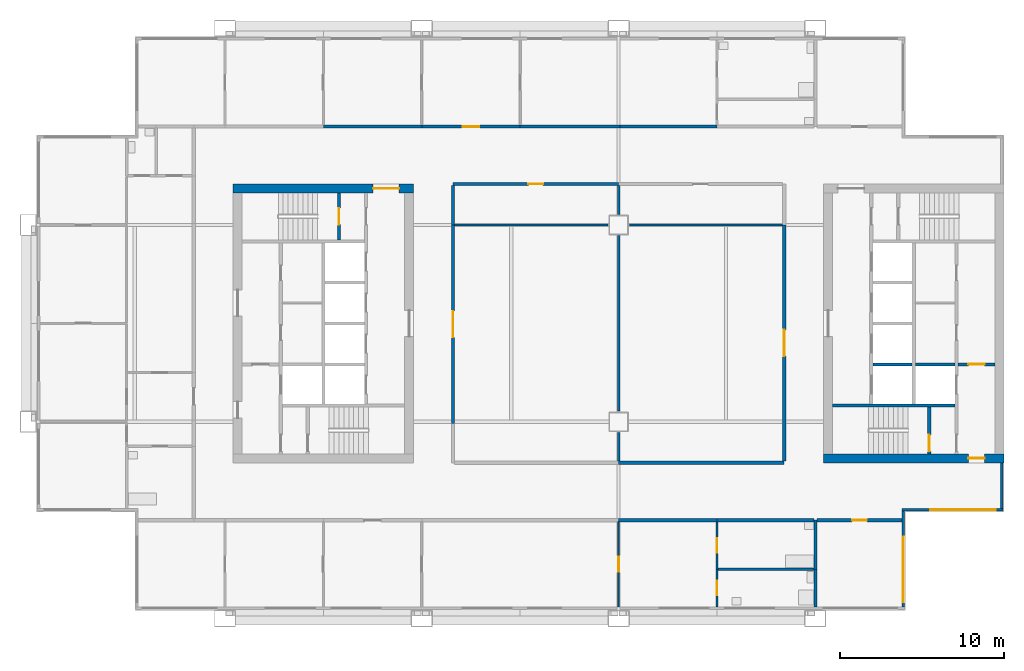
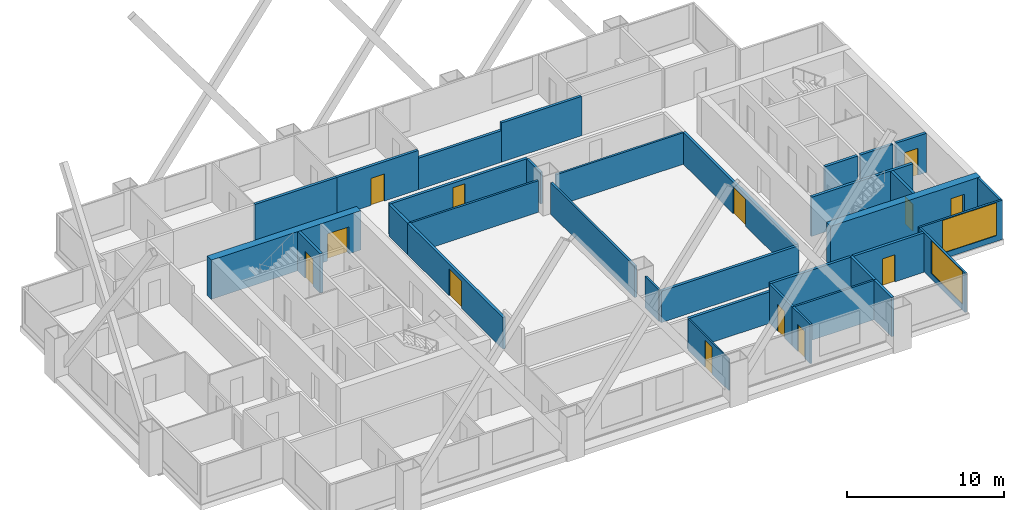
# One storey, part 4 of 8: 34 walls, 13 doors, 2 windows, 15 openings.
"""IFC4 building model written with IfcOpenShell, lengths in metres."""

from ifc_helpers import new_model, si_unit, direction, frame, frame_2d, origin, place, context, subcontext, project, spatial, rectangle, extrude, material, layer, layer_set, type_object, element, fill, save


model = new_model("IFC4")

# Units and contexts
model_context = context("Model", 3, precision=1e-05, world=origin(), true_north=direction((0.0, 1.0)))
body_context = subcontext(model_context, "Body", "Model", "MODEL_VIEW")
ifc_project = project(units=[si_unit("LENGTHUNIT", "METRE"), si_unit("AREAUNIT", "SQUARE_METRE"), si_unit("VOLUMEUNIT", "CUBIC_METRE"), si_unit("PLANEANGLEUNIT", "RADIAN"), si_unit("MASSUNIT", "GRAM", prefix="KILO")], contexts=[model_context])

# Site, building, storey
site_placement = place(None, origin())
site = spatial("IfcSite", under=ifc_project, at=site_placement, CompositionType="ELEMENT")
building_placement = place(site_placement, origin())
building = spatial("IfcBuilding", under=site, at=building_placement, Name="Kitamizu Gate Tower and Museum", CompositionType="ELEMENT")
storey_placement = place(building_placement, frame((0.0, 0.0, 175.5)))
storey = spatial("IfcBuildingStorey", under=building, at=storey_placement, Name="L46", CompositionType="ELEMENT", Elevation=175.5)

# Wall, opening, door
ifc_material_1 = material(Name="Concrete Fc42", Category="concrete")
ifc_layer_1 = layer(ifc_material_1, 0.550048828125)
ifc_layer_set_1 = layer_set([ifc_layer_1], Name="Concrete Fc42")
wall_type_1 = type_object("IfcWallType", Name="Core wall 550", PredefinedType="SHEAR", material=ifc_layer_set_1)
wall_1_placement = place(storey_placement, frame((12.5, 38.22509765625, 0.0), z_axis=(0.0, 0.0, 1.0), x_axis=(1.0, 0.0, 0.0)))
wall_1 = element("IfcWall", 1, at=wall_1_placement, inside=storey, type_object=wall_type_1, Name="Core wall WN", PredefinedType="SHEAR", context=body_context, shape_type="SweptSolid", body=[
    extrude(rectangle(XDim=11.0, YDim=0.550048828125, at=frame_2d((5.5, 0.0))), origin(), (0.0, 0.0, 1.0), 3.050048828125),
])
opening_1_placement = place(wall_1_placement, frame((8.52490234375, 0.0, 0.0)))
opening_1 = element("IfcOpeningElement", 2, at=opening_1_placement, cuts=wall_1, Name="Opening L46-037", PredefinedType="OPENING", context=body_context, shape_type="SweptSolid", body=[
    extrude(rectangle(XDim=1.60009765625, YDim=2.10009765625, at=frame_2d((0.800048828125, 1.050048828125))), frame((0.0, 0.28515625, 0.0), z_axis=(0.0, -1.0, 0.0), x_axis=(1.0, 0.0, 0.0)), (0.0, 0.0, 1.0), 0.570068359375),
])
ifc_material_2 = material(Name="Timber door set", Category="wood")
door_type_1 = type_object("IfcDoorType", Name="Entrance door 1600", OperationType="DOUBLE_DOOR_SINGLE_SWING", PredefinedType="DOOR", material=ifc_material_2)
door_1_placement = place(opening_1_placement, origin())
door_1 = element("IfcDoor", 3, at=door_1_placement, inside=storey, type_object=door_type_1, Name="Lobby door L46-037", OperationType="DOUBLE_DOOR_SINGLE_SWING", OverallHeight=2.10009765625, OverallWidth=1.60009765625, PredefinedType="DOOR", context=body_context, shape_type="SweptSolid", body=[
    extrude(rectangle(XDim=1.60009765625, YDim=2.10009765625, at=frame_2d((0.800048828125, 1.050048828125))), frame((0.0, 0.02490234375, 0.0), z_axis=(0.0, -1.0, 0.0), x_axis=(1.0, 0.0, 0.0)), (0.0, 0.0, 1.0), 0.050048828125),
])
fill(opening_1, door_1)

wall_2_placement = place(storey_placement, frame((59.5, 21.77490234375, 0.0), z_axis=(0.0, 0.0, 1.0), x_axis=(-1.0, 0.0, 0.0)))
wall_2 = element("IfcWall", 4, at=wall_2_placement, inside=storey, type_object=wall_type_1, Name="Core wall ES", PredefinedType="SHEAR", context=body_context, shape_type="SweptSolid", body=[
    extrude(rectangle(XDim=11.0, YDim=0.550048828125, at=frame_2d((5.5, 0.0))), origin(), (0.0, 0.0, 1.0), 3.050048828125),
])
opening_2_placement = place(wall_2_placement, frame((1.175048828125, 0.0, 0.0)))
opening_2 = element("IfcOpeningElement", 5, at=opening_2_placement, cuts=wall_2, Name="Opening L46-046", PredefinedType="OPENING", context=body_context, shape_type="SweptSolid", body=[
    extrude(rectangle(XDim=1.0, YDim=2.10009765625, at=frame_2d((0.5, 1.050048828125))), frame((0.0, 0.28515625, 0.0), z_axis=(0.0, -1.0, 0.0), x_axis=(1.0, 0.0, 0.0)), (0.0, 0.0, 1.0), 0.570068359375),
])
ifc_material_3 = material(Name="Hollow metal door set")
door_type_2 = type_object("IfcDoorType", Name="Fire door 1000", OperationType="NOTDEFINED", PredefinedType="DOOR", material=ifc_material_3)
door_2_placement = place(opening_2_placement, frame((1.0, 0.0, 0.0), x_axis=(-1.0, 0.0, 0.0)))
door_2 = element("IfcDoor", 6, at=door_2_placement, inside=storey, type_object=door_type_2, Name="Fire-fighting lobby door L46-046", OperationType="SINGLE_SWING_RIGHT", OverallHeight=2.10009765625, OverallWidth=1.0, PredefinedType="DOOR", context=body_context, shape_type="SweptSolid", body=[
    extrude(rectangle(XDim=1.0, YDim=2.10009765625, at=frame_2d((0.5, 1.050048828125))), frame((0.0, 0.02490234375, 0.0), z_axis=(0.0, -1.0, 0.0), x_axis=(1.0, 0.0, 0.0)), (0.0, 0.0, 1.0), 0.050048828125),
])
fill(opening_2, door_2)

ifc_material_4 = material(Name="Gypsum board on galvanised stud")
ifc_layer_2 = layer(ifc_material_4, 0.10009765625)
ifc_layer_set_2 = layer_set([ifc_layer_2], Name="Gypsum board on galvanised stud")
wall_type_2 = type_object("IfcWallType", Name="Partition 100 NOT RATED", PredefinedType="PARTITIONING", material=ifc_layer_set_2)
wall_3_placement = place(storey_placement, frame((36.0, 12.719970703125, 0.0), z_axis=(0.0, 0.0, 1.0), x_axis=(0.0, 1.0, 0.0)))
wall_3 = element("IfcWall", 7, at=wall_3_placement, inside=storey, type_object=wall_type_2, Name="Partition L46-008", PredefinedType="PARTITIONING", context=body_context, shape_type="SweptSolid", body=[
    extrude(rectangle(XDim=5.179931640625, YDim=0.10009765625, at=frame_2d((2.58984375, 0.0))), origin(), (0.0, 0.0, 1.0), 2.449951171875),
])
opening_3_placement = place(wall_3_placement, frame((2.139892578125, 0.0, 0.0)))
opening_3 = element("IfcOpeningElement", 8, at=opening_3_placement, cuts=wall_3, Name="Opening L46-004", PredefinedType="OPENING", context=body_context, shape_type="SweptSolid", body=[
    extrude(rectangle(XDim=0.89990234375, YDim=2.10009765625, at=frame_2d((0.449951171875, 1.050048828125))), frame((0.0, 0.06005859375, 0.0), z_axis=(0.0, -1.0, 0.0), x_axis=(1.0, 0.0, 0.0)), (0.0, 0.0, 1.0), 0.1201171875),
])
ifc_material_5 = material(Name="Timber door set", Category="wood")
door_type_3 = type_object("IfcDoorType", Name="Room door 900", OperationType="NOTDEFINED", PredefinedType="DOOR", material=ifc_material_5)
door_3_placement = place(opening_3_placement, frame((0.89990234375, 0.0, 0.0), x_axis=(-1.0, 0.0, 0.0)))
door_3 = element("IfcDoor", 9, at=door_3_placement, inside=storey, type_object=door_type_3, Name="Door L46-004", OperationType="SINGLE_SWING_RIGHT", OverallHeight=2.10009765625, OverallWidth=0.89990234375, PredefinedType="DOOR", context=body_context, shape_type="SweptSolid", body=[
    extrude(rectangle(XDim=0.89990234375, YDim=2.10009765625, at=frame_2d((0.449951171875, 1.050048828125))), frame((0.0, 0.02490234375, 0.0), z_axis=(0.0, -1.0, 0.0), x_axis=(1.0, 0.0, 0.0)), (0.0, 0.0, 1.0), 0.050048828125),
])
fill(opening_3, door_3)

ifc_material_6 = material(Name="Gypsum board on galvanised stud")
ifc_layer_3 = layer(ifc_material_6, 0.14990234375)
ifc_layer_set_3 = layer_set([ifc_layer_3], Name="Gypsum board on galvanised stud")
wall_type_3 = type_object("IfcWallType", Name="Partition 150", PredefinedType="PARTITIONING", material=ifc_layer_set_3)
wall_4_placement = place(storey_placement, frame((42.0, 12.719970703125, 0.0), z_axis=(0.0, 0.0, 1.0), x_axis=(0.0, 1.0, 0.0)))
wall_4 = element("IfcWall", 10, at=wall_4_placement, inside=storey, type_object=wall_type_3, Name="Partition L46-010", PredefinedType="PARTITIONING", context=body_context, shape_type="SweptSolid", body=[
    extrude(rectangle(XDim=2.280029296875, YDim=0.14990234375, at=frame_2d((1.14013671875, 0.0))), origin(), (0.0, 0.0, 1.0), 3.050048828125),
])
opening_4_placement = place(wall_4_placement, frame((0.68994140625, 0.0, 0.0)))
opening_4 = element("IfcOpeningElement", 11, at=opening_4_placement, cuts=wall_4, Name="Opening L46-005", PredefinedType="OPENING", context=body_context, shape_type="SweptSolid", body=[
    extrude(rectangle(XDim=0.89990234375, YDim=2.10009765625, at=frame_2d((0.449951171875, 1.050048828125))), frame((0.0, 0.0849609375, 0.0), z_axis=(0.0, -1.0, 0.0), x_axis=(1.0, 0.0, 0.0)), (0.0, 0.0, 1.0), 0.169921875),
])
ifc_material_7 = material(Name="Timber door set", Category="wood")
door_type_4 = type_object("IfcDoorType", Name="Bathroom door 900", OperationType="NOTDEFINED", PredefinedType="DOOR", material=ifc_material_7)
door_4_placement = place(opening_4_placement, frame((0.89990234375, 0.0, 0.0), x_axis=(-1.0, 0.0, 0.0)))
door_4 = element("IfcDoor", 12, at=door_4_placement, inside=storey, type_object=door_type_4, Name="Bathroom door L46-005", OperationType="SINGLE_SWING_LEFT", OverallHeight=2.10009765625, OverallWidth=0.89990234375, PredefinedType="DOOR", context=body_context, shape_type="SweptSolid", body=[
    extrude(rectangle(XDim=0.89990234375, YDim=2.10009765625, at=frame_2d((0.449951171875, 1.050048828125))), frame((0.0, 0.02490234375, 0.0), z_axis=(0.0, -1.0, 0.0), x_axis=(1.0, 0.0, 0.0)), (0.0, 0.0, 1.0), 0.050048828125),
])
fill(opening_4, door_4)

wall_5_placement = place(storey_placement, frame((42.0, 15.0, 0.0), z_axis=(0.0, 0.0, 1.0), x_axis=(0.0, 1.0, 0.0)))
wall_5 = element("IfcWall", 13, at=wall_5_placement, inside=storey, type_object=wall_type_3, Name="Partition L46-011", PredefinedType="PARTITIONING", context=body_context, shape_type="SweptSolid", body=[
    extrude(rectangle(XDim=2.89990234375, YDim=0.14990234375, at=frame_2d((1.449951171875, 0.0))), origin(), (0.0, 0.0, 1.0), 3.050048828125),
])
opening_5_placement = place(wall_5_placement, frame((1.0, 0.0, 0.0)))
opening_5 = element("IfcOpeningElement", 14, at=opening_5_placement, cuts=wall_5, Name="Opening L46-007", PredefinedType="OPENING", context=body_context, shape_type="SweptSolid", body=[
    extrude(rectangle(XDim=0.89990234375, YDim=2.10009765625, at=frame_2d((0.449951171875, 1.050048828125))), frame((0.0, 0.0849609375, 0.0), z_axis=(0.0, -1.0, 0.0), x_axis=(1.0, 0.0, 0.0)), (0.0, 0.0, 1.0), 0.169921875),
])
door_5_placement = place(opening_5_placement, frame((0.89990234375, 0.0, 0.0), x_axis=(-1.0, 0.0, 0.0)))
door_5 = element("IfcDoor", 15, at=door_5_placement, inside=storey, type_object=door_type_4, Name="Bathroom door L46-007", OperationType="SINGLE_SWING_LEFT", OverallHeight=2.10009765625, OverallWidth=0.89990234375, PredefinedType="DOOR", context=body_context, shape_type="SweptSolid", body=[
    extrude(rectangle(XDim=0.89990234375, YDim=2.10009765625, at=frame_2d((0.449951171875, 1.050048828125))), frame((0.0, 0.02490234375, 0.0), z_axis=(0.0, -1.0, 0.0), x_axis=(1.0, 0.0, 0.0)), (0.0, 0.0, 1.0), 0.050048828125),
])
fill(opening_5, door_5)

# Walls
wall_6_placement = place(storey_placement, frame((47.89990234375, 15.0, 0.0), z_axis=(0.0, 0.0, 1.0), x_axis=(-1.0, 0.0, 0.0)))
element("IfcWall", 16, at=wall_6_placement, inside=storey, type_object=wall_type_3, Name="Partition L46-013", PredefinedType="PARTITIONING", context=body_context, shape_type="SweptSolid", body=[
    extrude(rectangle(XDim=5.824951171875, YDim=0.14990234375, at=frame_2d((2.91259765625, 0.0))), origin(), (0.0, 0.0, 1.0), 3.050048828125),
])
wall_7_placement = place(storey_placement, frame((36.0, 21.60009765625, 0.0), z_axis=(0.0, 0.0, 1.0), x_axis=(0.0, 1.0, 0.0)))
element("IfcWall", 17, at=wall_7_placement, inside=storey, type_object=wall_type_3, Name="Partition L46-067", PredefinedType="PARTITIONING", context=body_context, shape_type="SweptSolid", body=[
    extrude(rectangle(XDim=1.75, YDim=0.14990234375, at=frame_2d((0.875, 0.0))), origin(), (0.0, 0.0, 1.0), 2.449951171875),
])
wall_8_placement = place(storey_placement, frame((36.0, 24.64990234375, 0.0), z_axis=(0.0, 0.0, 1.0), x_axis=(0.0, 1.0, 0.0)))
element("IfcWall", 18, at=wall_8_placement, inside=storey, type_object=wall_type_3, Name="Partition L46-068", PredefinedType="PARTITIONING", context=body_context, shape_type="SweptSolid", body=[
    extrude(rectangle(XDim=10.7001953125, YDim=0.14990234375, at=frame_2d((5.35009765625, 0.0))), origin(), (0.0, 0.0, 1.0), 2.449951171875),
])
for number, where, z_axis, x_axis, name in (
    (19, (35.35009765625, 36.0, 0.0), (0.0, 0.0, 1.0), (-1.0, 0.0, 0.0), "Partition L46-069"),
    (20, (46.0, 36.0, 0.0), (0.0, 0.0, 1.0), (-1.0, 0.0, 0.0), "Partition L46-070"),
):
    element("IfcWall", number, at=place(storey_placement, frame(where, z_axis=z_axis, x_axis=x_axis)), inside=storey, type_object=wall_type_3, Name=name, PredefinedType="PARTITIONING", context=body_context, shape_type="SweptSolid", body=[
        extrude(rectangle(XDim=9.35009765625, YDim=0.14990234375, at=frame_2d((4.675048828125, 0.0))), origin(), (0.0, 0.0, 1.0), 2.449951171875),
    ])
wall_9_placement = place(storey_placement, frame((36.0, 36.64990234375, 0.0), z_axis=(0.0, 0.0, 1.0), x_axis=(0.0, 1.0, 0.0)))
element("IfcWall", 21, at=wall_9_placement, inside=storey, type_object=wall_type_3, Name="Partition L46-071", PredefinedType="PARTITIONING", context=body_context, shape_type="SweptSolid", body=[
    extrude(rectangle(XDim=1.75, YDim=0.14990234375, at=frame_2d((0.875, 0.0))), origin(), (0.0, 0.0, 1.0), 2.449951171875),
])
ifc_material_8 = material(Name="Gypsum board on galvanised stud")
ifc_layer_4 = layer(ifc_material_8, 0.199951171875)
ifc_layer_set_4 = layer_set([ifc_layer_4], Name="Gypsum board on galvanised stud")
wall_type_4 = type_object("IfcWallType", Name="Partition 200", PredefinedType="PARTITIONING", material=ifc_layer_set_4)
wall_10_placement = place(storey_placement, frame((42.0, 18.0, 0.0), z_axis=(0.0, 0.0, 1.0), x_axis=(-1.0, 0.0, 0.0)))
element("IfcWall", 22, at=wall_10_placement, inside=storey, type_object=wall_type_4, Name="Partition L46-012", PredefinedType="PARTITIONING", context=body_context, shape_type="SweptSolid", body=[
    extrude(rectangle(XDim=6.0, YDim=0.199951171875, at=frame_2d((3.0, 0.0))), origin(), (0.0, 0.0, 1.0), 2.449951171875),
])
wall_11_placement = place(storey_placement, frame((48.0, 12.719970703125, 0.0), z_axis=(0.0, 0.0, 1.0), x_axis=(0.0, 1.0, 0.0)))
element("IfcWall", 23, at=wall_11_placement, inside=storey, type_object=wall_type_4, Name="Partition L46-014", PredefinedType="PARTITIONING", context=body_context, shape_type="SweptSolid", body=[
    extrude(rectangle(XDim=2.280029296875, YDim=0.199951171875, at=frame_2d((1.14013671875, 0.0))), origin(), (0.0, 0.0, 1.0), 3.050048828125),
])
wall_12_placement = place(storey_placement, frame((48.0, 15.0, 0.0), z_axis=(0.0, 0.0, 1.0), x_axis=(0.0, 1.0, 0.0)))
element("IfcWall", 24, at=wall_12_placement, inside=storey, type_object=wall_type_4, Name="Partition L46-015", PredefinedType="PARTITIONING", context=body_context, shape_type="SweptSolid", body=[
    extrude(rectangle(XDim=3.0, YDim=0.199951171875, at=frame_2d((1.5, 0.0))), origin(), (0.0, 0.0, 1.0), 3.050048828125),
])
wall_13_placement = place(storey_placement, frame((47.89990234375, 18.0, 0.0), z_axis=(0.0, 0.0, 1.0), x_axis=(-1.0, 0.0, 0.0)))
element("IfcWall", 25, at=wall_13_placement, inside=storey, type_object=wall_type_4, Name="Partition L46-016", PredefinedType="PARTITIONING", context=body_context, shape_type="SweptSolid", body=[
    extrude(rectangle(XDim=5.89990234375, YDim=0.199951171875, at=frame_2d((2.949951171875, 0.0))), origin(), (0.0, 0.0, 1.0), 3.050048828125),
])

# Wall, opening, door
wall_14_placement = place(storey_placement, frame((53.280029296875, 18.0, 0.0), z_axis=(0.0, 0.0, 1.0), x_axis=(-1.0, 0.0, 0.0)))
wall_14 = element("IfcWall", 26, at=wall_14_placement, inside=storey, type_object=wall_type_4, Name="Partition L46-017", PredefinedType="PARTITIONING", context=body_context, shape_type="SweptSolid", body=[
    extrude(rectangle(XDim=5.179931640625, YDim=0.199951171875, at=frame_2d((2.58984375, 0.0))), origin(), (0.0, 0.0, 1.0), 3.050048828125),
])
opening_6_placement = place(wall_14_placement, frame((2.139892578125, 0.0, 0.0)))
opening_6 = element("IfcOpeningElement", 27, at=opening_6_placement, cuts=wall_14, Name="Opening L46-024", PredefinedType="OPENING", context=body_context, shape_type="SweptSolid", body=[
    extrude(rectangle(XDim=0.89990234375, YDim=2.10009765625, at=frame_2d((0.449951171875, 1.050048828125))), frame((0.0, 0.10986328125, 0.0), z_axis=(0.0, -1.0, 0.0), x_axis=(1.0, 0.0, 0.0)), (0.0, 0.0, 1.0), 0.219970703125),
])
door_6_placement = place(opening_6_placement, origin())
door_6 = element("IfcDoor", 28, at=door_6_placement, inside=storey, type_object=door_type_3, Name="Door L46-024", OperationType="SINGLE_SWING_RIGHT", OverallHeight=2.10009765625, OverallWidth=0.89990234375, PredefinedType="DOOR", context=body_context, shape_type="SweptSolid", body=[
    extrude(rectangle(XDim=0.89990234375, YDim=2.10009765625, at=frame_2d((0.449951171875, 1.050048828125))), frame((0.0, 0.02490234375, 0.0), z_axis=(0.0, -1.0, 0.0), x_axis=(1.0, 0.0, 0.0)), (0.0, 0.0, 1.0), 0.050048828125),
])
fill(opening_6, door_6)

# Wall
wall_15_placement = place(storey_placement, frame((18.0, 42.0, 0.0), z_axis=(0.0, 0.0, 1.0), x_axis=(1.0, 0.0, 0.0)))
element("IfcWall", 29, at=wall_15_placement, inside=storey, type_object=wall_type_4, Name="Partition L46-025", PredefinedType="PARTITIONING", context=body_context, shape_type="SweptSolid", body=[
    extrude(rectangle(XDim=6.0, YDim=0.199951171875, at=frame_2d((3.0, 0.0))), origin(), (0.0, 0.0, 1.0), 3.050048828125),
])

# Wall, opening, door
wall_16_placement = place(storey_placement, frame((24.0, 42.0, 0.0), z_axis=(0.0, 0.0, 1.0), x_axis=(1.0, 0.0, 0.0)))
wall_16 = element("IfcWall", 30, at=wall_16_placement, inside=storey, type_object=wall_type_4, Name="Partition L46-027", PredefinedType="PARTITIONING", context=body_context, shape_type="SweptSolid", body=[
    extrude(rectangle(XDim=6.0, YDim=0.199951171875, at=frame_2d((3.0, 0.0))), origin(), (0.0, 0.0, 1.0), 3.050048828125),
])
opening_7_placement = place(wall_16_placement, frame((2.5, 0.0, 0.0)))
opening_7 = element("IfcOpeningElement", 31, at=opening_7_placement, cuts=wall_16, Name="Opening L46-008", PredefinedType="OPENING", context=body_context, shape_type="SweptSolid", body=[
    extrude(rectangle(XDim=1.0, YDim=2.10009765625, at=frame_2d((0.5, 1.050048828125))), frame((0.0, 0.10986328125, 0.0), z_axis=(0.0, -1.0, 0.0), x_axis=(1.0, 0.0, 0.0)), (0.0, 0.0, 1.0), 0.219970703125),
])
ifc_material_9 = material(Name="Timber door set", Category="wood")
door_type_5 = type_object("IfcDoorType", Name="Flat entrance door 1000", OperationType="NOTDEFINED", PredefinedType="DOOR", material=ifc_material_9)
door_7_placement = place(opening_7_placement, origin())
door_7 = element("IfcDoor", 32, at=door_7_placement, inside=storey, type_object=door_type_5, Name="Flat entrance door L46-008", OperationType="SINGLE_SWING_LEFT", OverallHeight=2.10009765625, OverallWidth=1.0, PredefinedType="DOOR", context=body_context, shape_type="SweptSolid", body=[
    extrude(rectangle(XDim=1.0, YDim=2.10009765625, at=frame_2d((0.5, 1.050048828125))), frame((0.0, 0.02490234375, 0.0), z_axis=(0.0, -1.0, 0.0), x_axis=(1.0, 0.0, 0.0)), (0.0, 0.0, 1.0), 0.050048828125),
])
fill(opening_7, door_7)

# Walls
wall_17_placement = place(storey_placement, frame((30.0, 42.0, 0.0), z_axis=(0.0, 0.0, 1.0), x_axis=(1.0, 0.0, 0.0)))
element("IfcWall", 33, at=wall_17_placement, inside=storey, type_object=wall_type_4, Name="Partition L46-030", PredefinedType="PARTITIONING", context=body_context, shape_type="SweptSolid", body=[
    extrude(rectangle(XDim=6.10009765625, YDim=0.199951171875, at=frame_2d((3.050048828125, 0.0))), origin(), (0.0, 0.0, 1.0), 2.449951171875),
])
wall_18_placement = place(storey_placement, frame((36.10009765625, 42.0, 0.0), z_axis=(0.0, 0.0, 1.0), x_axis=(1.0, 0.0, 0.0)))
element("IfcWall", 34, at=wall_18_placement, inside=storey, type_object=wall_type_4, Name="Partition L46-031", PredefinedType="PARTITIONING", context=body_context, shape_type="SweptSolid", body=[
    extrude(rectangle(XDim=5.89990234375, YDim=0.199951171875, at=frame_2d((2.949951171875, 0.0))), origin(), (0.0, 0.0, 1.0), 3.050048828125),
])

# Wall, opening, door
wall_19_placement = place(storey_placement, frame((25.89990234375, 36.0, 0.0), z_axis=(0.0, 0.0, 1.0), x_axis=(0.0, -1.0, 0.0)))
wall_19 = element("IfcWall", 35, at=wall_19_placement, inside=storey, type_object=wall_type_4, Name="Partition L46-058", PredefinedType="PARTITIONING", context=body_context, shape_type="SweptSolid", body=[
    extrude(rectangle(XDim=12.10009765625, YDim=0.199951171875, at=frame_2d((6.050048828125, 0.0))), origin(), (0.0, 0.0, 1.0), 2.449951171875),
])
opening_8_placement = place(wall_19_placement, frame((5.25, 0.0, 0.0)))
opening_8 = element("IfcOpeningElement", 36, at=opening_8_placement, cuts=wall_19, Name="Opening L46-026", PredefinedType="OPENING", context=body_context, shape_type="SweptSolid", body=[
    extrude(rectangle(XDim=1.60009765625, YDim=2.10009765625, at=frame_2d((0.800048828125, 1.050048828125))), frame((0.0, 0.10986328125, 0.0), z_axis=(0.0, -1.0, 0.0), x_axis=(1.0, 0.0, 0.0)), (0.0, 0.0, 1.0), 0.219970703125),
])
ifc_material_10 = material(Name="Timber door set", Category="wood")
door_type_6 = type_object("IfcDoorType", Name="Double door 1600", OperationType="DOUBLE_DOOR_SINGLE_SWING", PredefinedType="DOOR", material=ifc_material_10)
door_8_placement = place(opening_8_placement, origin())
door_8 = element("IfcDoor", 37, at=door_8_placement, inside=storey, type_object=door_type_6, Name="Double door L46-026", OperationType="DOUBLE_DOOR_SINGLE_SWING", OverallHeight=2.10009765625, OverallWidth=1.60009765625, PredefinedType="DOOR", context=body_context, shape_type="SweptSolid", body=[
    extrude(rectangle(XDim=1.60009765625, YDim=2.10009765625, at=frame_2d((0.800048828125, 1.050048828125))), frame((0.0, 0.02490234375, 0.0), z_axis=(0.0, -1.0, 0.0), x_axis=(1.0, 0.0, 0.0)), (0.0, 0.0, 1.0), 0.050048828125),
])
fill(opening_8, door_8)

# Wall
wall_20_placement = place(storey_placement, frame((36.0, 21.5, 0.0), z_axis=(0.0, 0.0, 1.0), x_axis=(1.0, 0.0, 0.0)))
element("IfcWall", 38, at=wall_20_placement, inside=storey, type_object=wall_type_4, Name="Partition L46-061", PredefinedType="PARTITIONING", context=body_context, shape_type="SweptSolid", body=[
    extrude(rectangle(XDim=10.10009765625, YDim=0.199951171875, at=frame_2d((5.050048828125, 0.0))), origin(), (0.0, 0.0, 1.0), 2.449951171875),
])

# Wall, opening, door
wall_21_placement = place(storey_placement, frame((46.10009765625, 21.60009765625, 0.0), z_axis=(0.0, 0.0, 1.0), x_axis=(0.0, 1.0, 0.0)))
wall_21 = element("IfcWall", 39, at=wall_21_placement, inside=storey, type_object=wall_type_4, Name="Partition L46-062", PredefinedType="PARTITIONING", context=body_context, shape_type="SweptSolid", body=[
    extrude(rectangle(XDim=14.39990234375, YDim=0.199951171875, at=frame_2d((7.199951171875, 0.0))), origin(), (0.0, 0.0, 1.0), 2.449951171875),
])
opening_9_placement = place(wall_21_placement, frame((6.39990234375, 0.0, 0.0)))
opening_9 = element("IfcOpeningElement", 40, at=opening_9_placement, cuts=wall_21, Name="Opening L46-027", PredefinedType="OPENING", context=body_context, shape_type="SweptSolid", body=[
    extrude(rectangle(XDim=1.60009765625, YDim=2.10009765625, at=frame_2d((0.800048828125, 1.050048828125))), frame((0.0, 0.10986328125, 0.0), z_axis=(0.0, -1.0, 0.0), x_axis=(1.0, 0.0, 0.0)), (0.0, 0.0, 1.0), 0.219970703125),
])
door_9_placement = place(opening_9_placement, origin())
door_9 = element("IfcDoor", 41, at=door_9_placement, inside=storey, type_object=door_type_6, Name="Double door L46-027", OperationType="DOUBLE_DOOR_SINGLE_SWING", OverallHeight=2.10009765625, OverallWidth=1.60009765625, PredefinedType="DOOR", context=body_context, shape_type="SweptSolid", body=[
    extrude(rectangle(XDim=1.60009765625, YDim=2.10009765625, at=frame_2d((0.800048828125, 1.050048828125))), frame((0.0, 0.02490234375, 0.0), z_axis=(0.0, -1.0, 0.0), x_axis=(1.0, 0.0, 0.0)), (0.0, 0.0, 1.0), 0.050048828125),
])
fill(opening_9, door_9)

wall_22_placement = place(storey_placement, frame((36.0, 38.5, 0.0), z_axis=(0.0, 0.0, 1.0), x_axis=(-1.0, 0.0, 0.0)))
wall_22 = element("IfcWall", 42, at=wall_22_placement, inside=storey, type_object=wall_type_4, Name="Partition L46-063", PredefinedType="PARTITIONING", context=body_context, shape_type="SweptSolid", body=[
    extrude(rectangle(XDim=10.10009765625, YDim=0.199951171875, at=frame_2d((5.050048828125, 0.0))), origin(), (0.0, 0.0, 1.0), 2.449951171875),
])
opening_10_placement = place(wall_22_placement, frame((4.60009765625, 0.0, 0.0)))
opening_10 = element("IfcOpeningElement", 43, at=opening_10_placement, cuts=wall_22, Name="Opening L46-028", PredefinedType="OPENING", context=body_context, shape_type="SweptSolid", body=[
    extrude(rectangle(XDim=0.89990234375, YDim=2.10009765625, at=frame_2d((0.449951171875, 1.050048828125))), frame((0.0, 0.10986328125, 0.0), z_axis=(0.0, -1.0, 0.0), x_axis=(1.0, 0.0, 0.0)), (0.0, 0.0, 1.0), 0.219970703125),
])
door_10_placement = place(opening_10_placement, origin())
door_10 = element("IfcDoor", 44, at=door_10_placement, inside=storey, type_object=door_type_3, Name="Door L46-028", OperationType="SINGLE_SWING_RIGHT", OverallHeight=2.10009765625, OverallWidth=0.89990234375, PredefinedType="DOOR", context=body_context, shape_type="SweptSolid", body=[
    extrude(rectangle(XDim=0.89990234375, YDim=2.10009765625, at=frame_2d((0.449951171875, 1.050048828125))), frame((0.0, 0.02490234375, 0.0), z_axis=(0.0, -1.0, 0.0), x_axis=(1.0, 0.0, 0.0)), (0.0, 0.0, 1.0), 0.050048828125),
])
fill(opening_10, door_10)

# Wall
wall_23_placement = place(storey_placement, frame((25.89990234375, 38.39990234375, 0.0), z_axis=(0.0, 0.0, 1.0), x_axis=(0.0, -1.0, 0.0)))
element("IfcWall", 45, at=wall_23_placement, inside=storey, type_object=wall_type_4, Name="Partition L46-064", PredefinedType="PARTITIONING", context=body_context, shape_type="SweptSolid", body=[
    extrude(rectangle(XDim=2.39990234375, YDim=0.199951171875, at=frame_2d((1.199951171875, 0.0))), origin(), (0.0, 0.0, 1.0), 2.449951171875),
])

# Wall, opening, door
ifc_material_11 = material(Name="Concrete Fc42", Category="concrete")
ifc_layer_5 = layer(ifc_material_11, 0.199951171875)
ifc_layer_set_5 = layer_set([ifc_layer_5], Name="Concrete Fc42")
wall_type_5 = type_object("IfcWallType", Name="Shaft wall 200", PredefinedType="SOLIDWALL", material=ifc_layer_set_5)
wall_24_placement = place(storey_placement, frame((18.949951171875, 35.10009765625, 0.0), z_axis=(0.0, 0.0, 1.0), x_axis=(0.0, 1.0, 0.0)))
wall_24 = element("IfcWall", 46, at=wall_24_placement, inside=storey, type_object=wall_type_5, Name="Shaft wall WNZ", PredefinedType="SOLIDWALL", context=body_context, shape_type="SweptSolid", body=[
    extrude(rectangle(XDim=2.849853515625, YDim=0.199951171875, at=frame_2d((1.4248046875, 0.0))), origin(), (0.0, 0.0, 1.0), 3.050048828125),
])
opening_11_placement = place(wall_24_placement, frame((0.925048828125, 0.0, 0.0)))
opening_11 = element("IfcOpeningElement", 47, at=opening_11_placement, cuts=wall_24, Name="Opening L46-033", PredefinedType="OPENING", context=body_context, shape_type="SweptSolid", body=[
    extrude(rectangle(XDim=1.0, YDim=2.10009765625, at=frame_2d((0.5, 1.050048828125))), frame((0.0, 0.10986328125, 0.0), z_axis=(0.0, -1.0, 0.0), x_axis=(1.0, 0.0, 0.0)), (0.0, 0.0, 1.0), 0.219970703125),
])
door_11_placement = place(opening_11_placement, origin())
door_11 = element("IfcDoor", 48, at=door_11_placement, inside=storey, type_object=door_type_2, Name="Stair door L46-033", OperationType="SINGLE_SWING_LEFT", OverallHeight=2.10009765625, OverallWidth=1.0, PredefinedType="DOOR", context=body_context, shape_type="SweptSolid", body=[
    extrude(rectangle(XDim=1.0, YDim=2.10009765625, at=frame_2d((0.5, 1.050048828125))), frame((0.0, 0.02490234375, 0.0), z_axis=(0.0, -1.0, 0.0), x_axis=(1.0, 0.0, 0.0)), (0.0, 0.0, 1.0), 0.050048828125),
])
fill(opening_11, door_11)

# Wall
wall_25_placement = place(storey_placement, frame((56.5, 25.0, 0.0), z_axis=(0.0, 0.0, 1.0), x_axis=(-1.0, 0.0, 0.0)))
element("IfcWall", 49, at=wall_25_placement, inside=storey, type_object=wall_type_5, Name="Shaft wall ESB", PredefinedType="SOLIDWALL", context=body_context, shape_type="SweptSolid", body=[
    extrude(rectangle(XDim=7.449951171875, YDim=0.199951171875, at=frame_2d((3.72509765625, 0.0))), origin(), (0.0, 0.0, 1.0), 3.050048828125),
])

# Wall, opening, door
wall_26_placement = place(storey_placement, frame((58.949951171875, 27.5, 0.0), z_axis=(0.0, 0.0, 1.0), x_axis=(-1.0, 0.0, 0.0)))
wall_26 = element("IfcWall", 50, at=wall_26_placement, inside=storey, type_object=wall_type_5, Name="Shaft wall EFFN", PredefinedType="SOLIDWALL", context=body_context, shape_type="SweptSolid", body=[
    extrude(rectangle(XDim=2.25, YDim=0.199951171875, at=frame_2d((1.125, 0.0))), origin(), (0.0, 0.0, 1.0), 3.050048828125),
])
opening_12_placement = place(wall_26_placement, frame((0.625, 0.0, 0.0)))
opening_12 = element("IfcOpeningElement", 51, at=opening_12_placement, cuts=wall_26, Name="Opening L46-045", PredefinedType="OPENING", context=body_context, shape_type="SweptSolid", body=[
    extrude(rectangle(XDim=1.0, YDim=2.10009765625, at=frame_2d((0.5, 1.050048828125))), frame((0.0, 0.10986328125, 0.0), z_axis=(0.0, -1.0, 0.0), x_axis=(1.0, 0.0, 0.0)), (0.0, 0.0, 1.0), 0.219970703125),
])
door_12_placement = place(opening_12_placement, origin())
door_12 = element("IfcDoor", 52, at=door_12_placement, inside=storey, type_object=door_type_2, Name="Fire-fighting lobby door L46-045", OperationType="SINGLE_SWING_RIGHT", OverallHeight=2.10009765625, OverallWidth=1.0, PredefinedType="DOOR", context=body_context, shape_type="SweptSolid", body=[
    extrude(rectangle(XDim=1.0, YDim=2.10009765625, at=frame_2d((0.5, 1.050048828125))), frame((0.0, 0.02490234375, 0.0), z_axis=(0.0, -1.0, 0.0), x_axis=(1.0, 0.0, 0.0)), (0.0, 0.0, 1.0), 0.050048828125),
])
fill(opening_12, door_12)

wall_27_placement = place(storey_placement, frame((54.949951171875, 22.050048828125, 0.0), z_axis=(0.0, 0.0, 1.0), x_axis=(0.0, 1.0, 0.0)))
wall_27 = element("IfcWall", 53, at=wall_27_placement, inside=storey, type_object=wall_type_5, Name="Shaft wall ESZ", PredefinedType="SOLIDWALL", context=body_context, shape_type="SweptSolid", body=[
    extrude(rectangle(XDim=2.849853515625, YDim=0.199951171875, at=frame_2d((1.4248046875, 0.0))), origin(), (0.0, 0.0, 1.0), 3.050048828125),
])
opening_13_placement = place(wall_27_placement, frame((0.14990234375, 0.0, 0.0)))
opening_13 = element("IfcOpeningElement", 54, at=opening_13_placement, cuts=wall_27, Name="Opening L46-041", PredefinedType="OPENING", context=body_context, shape_type="SweptSolid", body=[
    extrude(rectangle(XDim=1.0, YDim=2.10009765625, at=frame_2d((0.5, 1.050048828125))), frame((0.0, 0.10986328125, 0.0), z_axis=(0.0, -1.0, 0.0), x_axis=(1.0, 0.0, 0.0)), (0.0, 0.0, 1.0), 0.219970703125),
])
door_13_placement = place(opening_13_placement, origin())
door_13 = element("IfcDoor", 55, at=door_13_placement, inside=storey, type_object=door_type_2, Name="Stair door L46-041", OperationType="SINGLE_SWING_RIGHT", OverallHeight=2.10009765625, OverallWidth=1.0, PredefinedType="DOOR", context=body_context, shape_type="SweptSolid", body=[
    extrude(rectangle(XDim=1.0, YDim=2.10009765625, at=frame_2d((0.5, 1.050048828125))), frame((0.0, 0.02490234375, 0.0), z_axis=(0.0, -1.0, 0.0), x_axis=(1.0, 0.0, 0.0)), (0.0, 0.0, 1.0), 0.050048828125),
])
fill(opening_13, door_13)

# Walls
for number, where, z_axis, x_axis, name in (
    (56, (56.5, 27.5, 0.0), (0.0, 0.0, 1.0), (-1.0, 0.0, 0.0), "Shaft wall EDVW0"),
    (57, (53.89990234375, 27.5, 0.0), (0.0, 0.0, 1.0), (-1.0, 0.0, 0.0), "Shaft wall EDVE0"),
):
    element("IfcWall", number, at=place(storey_placement, frame(where, z_axis=z_axis, x_axis=x_axis)), inside=storey, type_object=wall_type_5, Name=name, PredefinedType="SOLIDWALL", context=body_context, shape_type="SweptSolid", body=[
        extrude(rectangle(XDim=2.39990234375, YDim=0.199951171875, at=frame_2d((1.199951171875, 0.0))), origin(), (0.0, 0.0, 1.0), 3.050048828125),
    ])

# Wall, opening, window
ifc_material_12 = material(Name="Bronze anodised aluminium frame with insulated spandrel and tinted glass", Category="aluminium")
ifc_layer_6 = layer(ifc_material_12, 0.14990234375)
ifc_layer_set_6 = layer_set([ifc_layer_6], Name="Bronze anodised aluminium frame with insulated spandrel and tinted glass")
wall_type_6 = type_object("IfcWallType", Name="WINDOW WALL 150 BRONZE FRAME EI 30", PredefinedType="ELEMENTEDWALL", material=ifc_layer_set_6)
wall_28_placement = place(storey_placement, frame((53.364990234375, 12.7099609375, 0.0), z_axis=(0.0, 0.0, 1.0), x_axis=(0.0, 1.0, 0.0)))
wall_28 = element("IfcWall", 58, at=wall_28_placement, inside=storey, type_object=wall_type_6, Name="Window wall east L46", PredefinedType="ELEMENTEDWALL", context=body_context, shape_type="SweptSolid", body=[
    extrude(rectangle(XDim=5.85009765625, YDim=0.14990234375, at=frame_2d((2.925048828125, 0.0))), origin(), (0.0, 0.0, 1.0), 3.050048828125),
])
opening_14_placement = place(wall_28_placement, frame((0.2900390625, 0.0, 0.449951171875)))
opening_14 = element("IfcOpeningElement", 59, at=opening_14_placement, cuts=wall_28, Name="Opening W16", PredefinedType="OPENING", context=body_context, shape_type="SweptSolid", body=[
    extrude(rectangle(XDim=4.0, YDim=2.550048828125, at=frame_2d((2.0, 1.27490234375))), frame((0.0, 0.0849609375, 0.0), z_axis=(0.0, -1.0, 0.0), x_axis=(1.0, 0.0, 0.0)), (0.0, 0.0, 1.0), 0.169921875),
])
ifc_material_13 = material(Name="Bronze anodised aluminium frame, tinted triple glazing", Category="aluminium")
window_type = type_object("IfcWindowType", Name="WINDOW 4000 x 2550 SILL 450", PartitioningType="SINGLE_PANEL", PredefinedType="WINDOW", material=ifc_material_13)
window_1_placement = place(opening_14_placement, origin())
window_1 = element("IfcWindow", 60, at=window_1_placement, inside=storey, type_object=window_type, Name="Window W16 L46", OverallHeight=2.550048828125, OverallWidth=4.0, PartitioningType="SINGLE_PANEL", PredefinedType="WINDOW", context=body_context, shape_type="SweptSolid", body=[
    extrude(rectangle(XDim=4.0, YDim=2.550048828125, at=frame_2d((2.0, 1.27490234375))), frame((0.0, 0.030029296875, 0.0), z_axis=(0.0, -1.0, 0.0), x_axis=(1.0, 0.0, 0.0)), (0.0, 0.0, 1.0), 0.06005859375),
])
fill(opening_14, window_1)

wall_29_placement = place(storey_placement, frame((53.2900390625, 18.635009765625, 0.0), z_axis=(0.0, 0.0, 1.0), x_axis=(1.0, 0.0, 0.0)))
wall_29 = element("IfcWall", 61, at=wall_29_placement, inside=storey, type_object=wall_type_6, Name="Window wall south L46", PredefinedType="ELEMENTEDWALL", context=body_context, shape_type="SweptSolid", body=[
    extrude(rectangle(XDim=6.14990234375, YDim=0.14990234375, at=frame_2d((3.074951171875, 0.0))), origin(), (0.0, 0.0, 1.0), 3.050048828125),
])
opening_15_placement = place(wall_29_placement, frame((1.7099609375, 0.0, 0.449951171875)))
opening_15 = element("IfcOpeningElement", 62, at=opening_15_placement, cuts=wall_29, Name="Opening W16", PredefinedType="OPENING", context=body_context, shape_type="SweptSolid", body=[
    extrude(rectangle(XDim=4.0, YDim=2.550048828125, at=frame_2d((2.0, 1.27490234375))), frame((0.0, 0.0849609375, 0.0), z_axis=(0.0, -1.0, 0.0), x_axis=(1.0, 0.0, 0.0)), (0.0, 0.0, 1.0), 0.169921875),
])
window_2_placement = place(opening_15_placement, origin())
window_2 = element("IfcWindow", 63, at=window_2_placement, inside=storey, type_object=window_type, Name="Window W16 L46", OverallHeight=2.550048828125, OverallWidth=4.0, PartitioningType="SINGLE_PANEL", PredefinedType="WINDOW", context=body_context, shape_type="SweptSolid", body=[
    extrude(rectangle(XDim=4.0, YDim=2.550048828125, at=frame_2d((2.0, 1.27490234375))), frame((0.0, 0.030029296875, 0.0), z_axis=(0.0, -1.0, 0.0), x_axis=(1.0, 0.0, 0.0)), (0.0, 0.0, 1.0), 0.06005859375),
])
fill(opening_15, window_2)

# Wall
wall_30_placement = place(storey_placement, frame((59.364990234375, 18.7099609375, 0.0), z_axis=(0.0, 0.0, 1.0), x_axis=(0.0, 1.0, 0.0)))
element("IfcWall", 64, at=wall_30_placement, inside=storey, type_object=wall_type_6, Name="Window wall east L46", PredefinedType="ELEMENTEDWALL", context=body_context, shape_type="SweptSolid", body=[
    extrude(rectangle(XDim=2.7900390625, YDim=0.14990234375, at=frame_2d((1.39501953125, 0.0))), origin(), (0.0, 0.0, 1.0), 3.050048828125),
])

save(model, "model.ifc")
